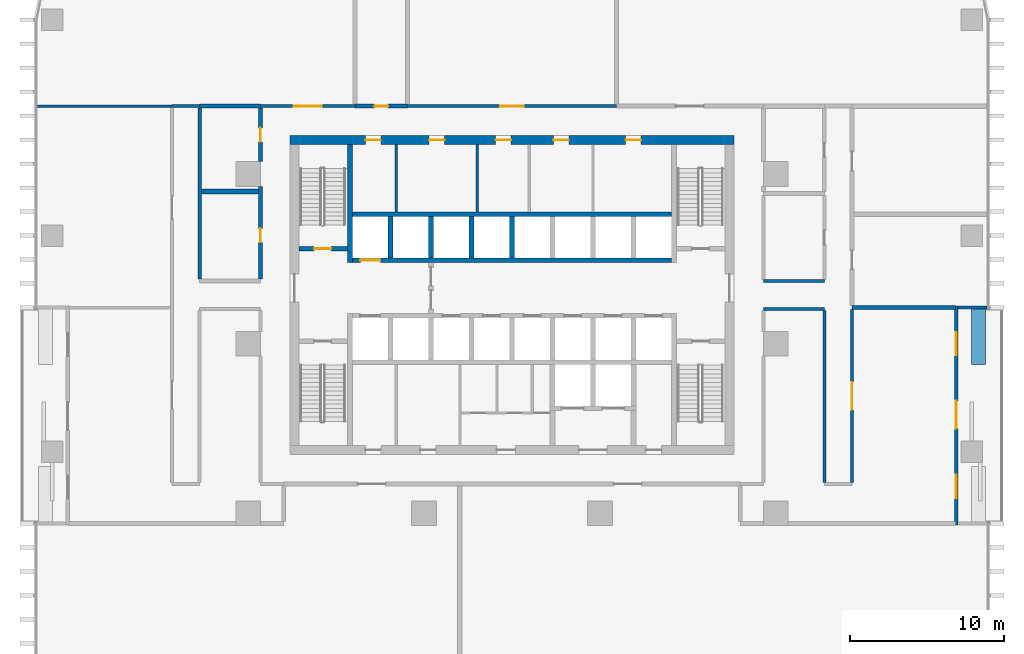
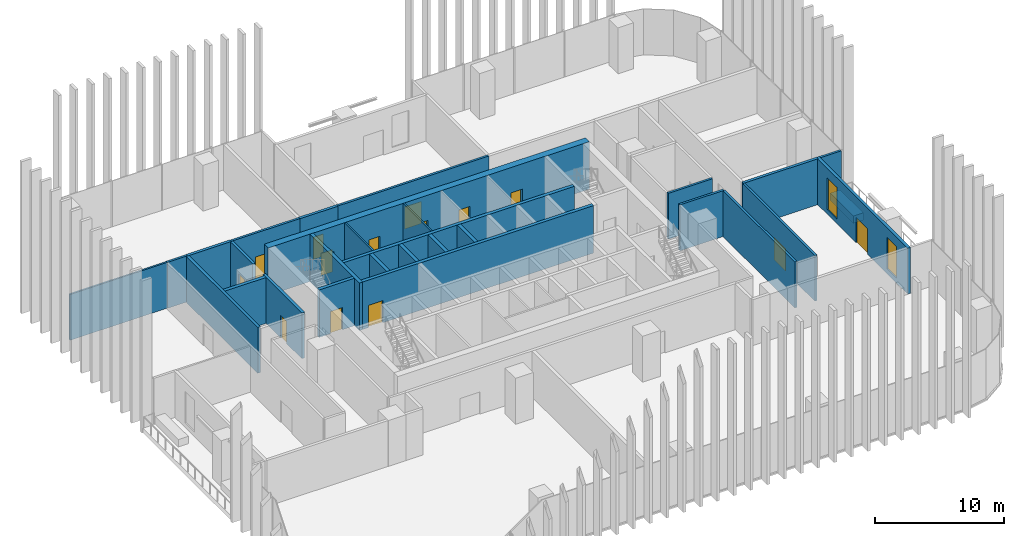
# One storey, part 9 of 17: 29 walls, 14 doors, 2 windows, 16 openings.
"""IFC4 building model written with IfcOpenShell, lengths in metres."""

import ifcopenshell
import ifcopenshell.guid

model = None  # the IFC model being written
_history = None  # IfcOwnerHistory: only IFC2X3 demands one
_inside = {}  # id of a spatial element -> (the spatial element, [elements in it])
_under = {}  # id of a project, library or spatial element -> (it, [spatial elements below it])
_declared = {}  # id of a project -> (the project, [libraries it declares])
_typed = {}  # id of a type object -> (the type object, [elements of that type])
_made_of = {}  # id of a material, layer set ... -> (it, [elements and type objects made of it])


def new_model(schema):
    """Start an empty IFC model of exactly this schema.

    Asked for "IFC4X3", IfcOpenShell would pick the latest addendum, in which some entities
    have other attributes; the version numbers below select the first issue.
    IFC2X3 requires an IfcOwnerHistory on every rooted entity: one is made here for all.
    """
    global model, _history
    if schema == "IFC4X3":
        model = ifcopenshell.file(schema_version=(4, 3, 0, 0))
    else:
        model = ifcopenshell.file(schema=schema)
    _inside.clear()
    _under.clear()
    _declared.clear()
    _typed.clear()
    _made_of.clear()
    _history = None
    if model.schema == "IFC2X3":
        org = make("IfcOrganization", Name="unknown")
        user = make(
            "IfcPersonAndOrganization",
            ThePerson=make("IfcPerson", FamilyName="unknown"),
            TheOrganization=org,
        )
        app = make(
            "IfcApplication",
            ApplicationDeveloper=org,
            Version="unknown",
            ApplicationFullName="unknown",
            ApplicationIdentifier="unknown",
        )
        _history = make(
            "IfcOwnerHistory",
            OwningUser=user,
            OwningApplication=app,
            ChangeAction="ADDED",
            CreationDate=0,
        )
    return model


def make(cls, **values):
    """One entity of the class cls with the attributes given. An attribute that is None is left unset."""
    return model.create_entity(
        cls, **{name: value for name, value in values.items() if value is not None}
    )


def rooted(cls, **values):
    """An entity with a GlobalId (a new one), such as an element, a storey or a relation."""
    return make(cls, GlobalId=ifcopenshell.guid.new(), OwnerHistory=_history, **values)


def si_unit(unit_type, name, prefix=None):
    """IfcSIUnit, for example si_unit("LENGTHUNIT", "METRE", prefix="MILLI")."""
    return make("IfcSIUnit", UnitType=unit_type, Prefix=prefix, Name=name)


def assignment(units):
    """IfcUnitAssignment: the units of a project."""
    return None if units is None else make("IfcUnitAssignment", Units=units)


def point(xyz):
    """IfcCartesianPoint."""
    return None if xyz is None else make("IfcCartesianPoint", Coordinates=xyz)


def direction(xyz):
    """IfcDirection."""
    return None if xyz is None else make("IfcDirection", DirectionRatios=xyz)


def frame(location, z_axis=None, x_axis=None):
    """IfcAxis2Placement3D, a coordinate frame: its origin and axes. An axis left out is left unset."""
    return make(
        "IfcAxis2Placement3D",
        Location=point(location),
        Axis=direction(z_axis),
        RefDirection=direction(x_axis),
    )


def frame_2d(location, x_axis=None):
    """IfcAxis2Placement2D, a coordinate frame in the plane: its origin and x axis."""
    return make(
        "IfcAxis2Placement2D", Location=point(location), RefDirection=direction(x_axis)
    )


def origin():
    """The frame at (0, 0, 0) with its axes left unset."""
    return frame((0.0, 0.0, 0.0))


def place(relative_to, where):
    """IfcLocalPlacement: puts the frame where relative to a parent placement (None: the world)."""
    return make(
        "IfcLocalPlacement", PlacementRelTo=relative_to, RelativePlacement=where
    )


def context(
    kind, dimensions, precision=None, world=None, true_north=None, identifier=None
):
    """IfcGeometricRepresentationContext, for example the 3D "Model" context."""
    return make(
        "IfcGeometricRepresentationContext",
        ContextIdentifier=identifier,
        ContextType=kind,
        CoordinateSpaceDimension=dimensions,
        Precision=precision,
        WorldCoordinateSystem=world,
        TrueNorth=true_north,
    )


def subcontext(parent, identifier, kind, view, scale=None):
    """IfcGeometricRepresentationSubContext, for example "Body" below "Model"."""
    return make(
        "IfcGeometricRepresentationSubContext",
        ContextIdentifier=identifier,
        ContextType=kind,
        ParentContext=parent,
        TargetScale=scale,
        TargetView=view,
    )


def project(units=None, contexts=None):
    """IfcProject with its units and contexts."""
    return rooted(
        "IfcProject",
        Name="project",
        RepresentationContexts=contexts,
        UnitsInContext=assignment(units),
    )


def spatial(cls, under=None, at=None, **own):
    """A site, building, storey or space (cls), placed at a placement, below another one or the project."""
    s = rooted(cls, ObjectPlacement=at, **own)
    if under is not None:
        _under.setdefault(under.id(), (under, []))[1].append(s)
    return s


def profile(cls, at=None, kind="AREA", **sizes):
    """A parametric profile (cls). Its sizes go by their IFC names, for example OverallWidth=200.0."""
    return make(cls, ProfileType=kind, Position=at, **sizes)


def rectangle(**sizes):
    """IfcRectangleProfileDef."""
    return profile("IfcRectangleProfileDef", **sizes)


def extrude(swept, where, along, depth):
    """IfcExtrudedAreaSolid: the profile swept, set in the frame where, extruded along a direction by depth."""
    return make(
        "IfcExtrudedAreaSolid",
        SweptArea=swept,
        Position=where,
        ExtrudedDirection=direction(along),
        Depth=depth,
    )


def shape(context_of_items, identifier, shape_type, items):
    """IfcShapeRepresentation: the items that make up one representation, for example the "Body"."""
    return make(
        "IfcShapeRepresentation",
        ContextOfItems=context_of_items,
        RepresentationIdentifier=identifier,
        RepresentationType=shape_type,
        Items=items,
    )


def material(Name=None, Category=None):
    """IfcMaterial."""
    return make("IfcMaterial", Name=Name, Category=Category)


def layer(
    of_material, thickness, ventilated=None, Name=None, Category=None, Priority=None
):
    """IfcMaterialLayer: one layer of a wall or slab, of a material (None: an air gap)."""
    return make(
        "IfcMaterialLayer",
        Material=of_material,
        LayerThickness=thickness,
        IsVentilated=ventilated,
        Name=Name,
        Category=Category,
        Priority=Priority,
    )


def layer_set(layers, Name=None):
    """IfcMaterialLayerSet."""
    return make("IfcMaterialLayerSet", MaterialLayers=layers, LayerSetName=Name)


def made_of(thing, what):
    """Note that an element or type object is made of a material, layer set ...; save() writes the relation."""
    if what is not None:
        _made_of.setdefault(what.id(), (what, []))[1].append(thing)
    return thing


def type_object(cls, material=None, **own):
    """A type object (cls), such as IfcWallType, which elements share."""
    return made_of(rooted(cls, **own), material)


def element(
    cls,
    number,
    at=None,
    inside=None,
    cuts=None,
    type_object=None,
    material=None,
    context=None,
    identifier="Body",
    shape_type=None,
    held_by="IfcProductDefinitionShape",
    body=None,
    shapes=None,
    **own,
):
    """One element of the class cls, such as IfcWall. Its Tag is "e" and its number.

    at: its placement. inside: the storey or other place that contains it. cuts: it is an
    opening in that element (IfcRelVoidsElement). A single representation is given by context,
    identifier, shape_type and body (its items); several are given by shapes. held_by: the class
    of the entity that holds the representations. save() writes the other relations.
    """
    e = rooted(cls, Tag="e%d" % number, ObjectPlacement=at, **own)
    if body is not None:
        shapes = [shape(context, identifier, shape_type, body)]
    if shapes is not None:
        e.Representation = make(held_by, Representations=shapes)
    if inside is not None:
        _inside.setdefault(inside.id(), (inside, []))[1].append(e)
    if cuts is not None:
        rooted(
            "IfcRelVoidsElement", RelatingBuildingElement=cuts, RelatedOpeningElement=e
        )
    if type_object is not None:
        _typed.setdefault(type_object.id(), (type_object, []))[1].append(e)
    return made_of(e, material)


def fill(opening, filler):
    """IfcRelFillsElement: the door or window that sits in an opening."""
    return rooted(
        "IfcRelFillsElement",
        RelatingOpeningElement=opening,
        RelatedBuildingElement=filler,
    )


def aggregate(whole, parts):
    """IfcRelAggregates: a whole, such as a stair, and the parts it consists of."""
    return rooted("IfcRelAggregates", RelatingObject=whole, RelatedObjects=parts)


def save(model, path):
    """Write the relations noted so far, then the file.

    IfcRelAggregates (storeys below a building ...), IfcRelContainedInSpatialStructure (elements
    in a storey), IfcRelDefinesByType, IfcRelAssociatesMaterial and IfcRelDeclares: one each for
    every whole, place, type object, material and project.
    """
    for whole, parts in _under.values():
        aggregate(whole, parts)
    for where, things in _inside.values():
        rooted(
            "IfcRelContainedInSpatialStructure",
            RelatedElements=things,
            RelatingStructure=where,
        )
    for kind, things in _typed.values():
        rooted("IfcRelDefinesByType", RelatedObjects=things, RelatingType=kind)
    for what, things in _made_of.values():
        rooted("IfcRelAssociatesMaterial", RelatedObjects=things, RelatingMaterial=what)
    for by, libraries in _declared.values():
        rooted("IfcRelDeclares", RelatingContext=by, RelatedDefinitions=libraries)
    model.write(path)


model = new_model("IFC4")

# Units and contexts
model_context = context("Model", 3, precision=1e-05, world=origin(), true_north=direction((0.0, 1.0)))
body_context = subcontext(model_context, "Body", "Model", "MODEL_VIEW")
ifc_project = project(units=[si_unit("LENGTHUNIT", "METRE"), si_unit("AREAUNIT", "SQUARE_METRE"), si_unit("VOLUMEUNIT", "CUBIC_METRE"), si_unit("PLANEANGLEUNIT", "RADIAN"), si_unit("MASSUNIT", "GRAM", prefix="KILO")], contexts=[model_context])

# Site, building, storey
site_placement = place(None, origin())
site = spatial("IfcSite", under=ifc_project, at=site_placement, CompositionType="ELEMENT")
building_placement = place(site_placement, origin())
building = spatial("IfcBuilding", under=site, at=building_placement, Name="Mopane Tessera Tower", CompositionType="ELEMENT")
storey_placement = place(building_placement, frame((0.0, 0.0, 45.39990234375)))
storey = spatial("IfcBuildingStorey", under=building, at=storey_placement, Name="L08", CompositionType="ELEMENT", Elevation=45.39990234375)

# Walls
ifc_material_1 = material(Name="Fire-rated gypsum board partition")
ifc_layer_1 = layer(ifc_material_1, 0.14990234375)
ifc_layer_set_1 = layer_set([ifc_layer_1], Name="Fire-rated gypsum board partition")
wall_type_1 = type_object("IfcWallType", Name="Core room partition 150 mm", PredefinedType="PARTITIONING", material=ifc_layer_set_1)
for number, where, z_axis, x_axis, name in (
    (1, (-7.5, 8.550048828125, 0.0), (0.0, 0.0, 1.0), (0.0, 1.0, 0.0), "L08 Room partition"),
    (2, (-2.25, 8.550048828125, 0.0), (0.0, 0.0, 1.0), (0.0, 1.0, 0.0), "L08 Room partition"),
):
    element("IfcWall", number, at=place(storey_placement, frame(where, z_axis=z_axis, x_axis=x_axis)), inside=storey, type_object=wall_type_1, Name=name, PredefinedType="PARTITIONING", context=body_context, shape_type="SweptSolid", body=[
        extrude(rectangle(XDim=4.349853515625, YDim=0.14990234375, at=frame_2d((2.1748046875, 0.0))), origin(), (0.0, 0.0, 1.0), 4.5),
    ])

# Wall, openings, doors
ifc_material_2 = material(Name="Concrete C70/85", Category="concrete")
ifc_layer_2 = layer(ifc_material_2, 0.60009765625)
ifc_layer_set_2 = layer_set([ifc_layer_2], Name="Concrete C70/85")
wall_type_2 = type_object("IfcWallType", Name="Core shear wall 600 mm", PredefinedType="SHEAR", material=ifc_layer_set_2)
wall_1_placement = place(storey_placement, frame((-14.39990234375, 13.199951171875, 0.0), z_axis=(0.0, 0.0, 1.0), x_axis=(1.0, 0.0, 0.0)))
wall_1 = element("IfcWall", 3, at=wall_1_placement, inside=storey, type_object=wall_type_2, Name="L08 Core wall north", PredefinedType="SHEAR", context=body_context, shape_type="SweptSolid", body=[
    extrude(rectangle(XDim=28.7998046875, YDim=0.60009765625, at=frame_2d((14.39990234375, 0.0))), origin(), (0.0, 0.0, 1.0), 4.5),
])
opening_1_placement = place(wall_1_placement, frame((4.89990234375, 0.0, 0.0)))
opening_1 = element("IfcOpeningElement", 4, at=opening_1_placement, cuts=wall_1, Name="Opening RD1", PredefinedType="OPENING", context=body_context, shape_type="SweptSolid", body=[
    extrude(rectangle(XDim=1.0, YDim=2.10009765625, at=frame_2d((0.5, 1.050048828125))), frame((0.0, 0.31201171875, 0.0), z_axis=(0.0, -1.0, 0.0), x_axis=(1.0, 0.0, 0.0)), (0.0, 0.0, 1.0), 0.6240234375),
])
opening_2_placement = place(wall_1_placement, frame((9.02490234375, 0.0, 0.0)))
opening_2 = element("IfcOpeningElement", 5, at=opening_2_placement, cuts=wall_1, Name="Opening RD1", PredefinedType="OPENING", context=body_context, shape_type="SweptSolid", body=[
    extrude(rectangle(XDim=1.0, YDim=2.10009765625, at=frame_2d((0.5, 1.050048828125))), frame((0.0, 0.31201171875, 0.0), z_axis=(0.0, -1.0, 0.0), x_axis=(1.0, 0.0, 0.0)), (0.0, 0.0, 1.0), 0.6240234375),
])
opening_3_placement = place(wall_1_placement, frame((13.33740234375, 0.0, 0.0)))
opening_3 = element("IfcOpeningElement", 6, at=opening_3_placement, cuts=wall_1, Name="Opening RD1", PredefinedType="OPENING", context=body_context, shape_type="SweptSolid", body=[
    extrude(rectangle(XDim=1.0, YDim=2.10009765625, at=frame_2d((0.5, 1.050048828125))), frame((0.0, 0.31201171875, 0.0), z_axis=(0.0, -1.0, 0.0), x_axis=(1.0, 0.0, 0.0)), (0.0, 0.0, 1.0), 0.6240234375),
])
opening_4_placement = place(wall_1_placement, frame((17.08740234375, 0.0, 0.0)))
opening_4 = element("IfcOpeningElement", 7, at=opening_4_placement, cuts=wall_1, Name="Opening RD1", PredefinedType="OPENING", context=body_context, shape_type="SweptSolid", body=[
    extrude(rectangle(XDim=1.0, YDim=2.10009765625, at=frame_2d((0.5, 1.050048828125))), frame((0.0, 0.31201171875, 0.0), z_axis=(0.0, -1.0, 0.0), x_axis=(1.0, 0.0, 0.0)), (0.0, 0.0, 1.0), 0.6240234375),
])
opening_5_placement = place(wall_1_placement, frame((21.77490234375, 0.0, 0.0)))
opening_5 = element("IfcOpeningElement", 8, at=opening_5_placement, cuts=wall_1, Name="Opening RD1", PredefinedType="OPENING", context=body_context, shape_type="SweptSolid", body=[
    extrude(rectangle(XDim=1.0, YDim=2.10009765625, at=frame_2d((0.5, 1.050048828125))), frame((0.0, 0.31201171875, 0.0), z_axis=(0.0, -1.0, 0.0), x_axis=(1.0, 0.0, 0.0)), (0.0, 0.0, 1.0), 0.6240234375),
])
ifc_material_3 = material(Name="Timber door", Category="wood")
door_type_1 = type_object("IfcDoorType", Name="Core room door 1000 x 2100", OperationType="SINGLE_SWING_LEFT", PredefinedType="DOOR", material=ifc_material_3)
door_1_placement = place(opening_1_placement, origin())
door_1 = element("IfcDoor", 9, at=door_1_placement, inside=storey, type_object=door_type_1, Name="L08 Room door", OperationType="SINGLE_SWING_LEFT", OverallHeight=2.10009765625, OverallWidth=1.0, PredefinedType="DOOR", context=body_context, shape_type="SweptSolid", body=[
    extrude(rectangle(XDim=1.0, YDim=2.10009765625, at=frame_2d((0.5, 1.050048828125))), frame((0.0, 0.02490234375, 0.0), z_axis=(0.0, -1.0, 0.0), x_axis=(1.0, 0.0, 0.0)), (0.0, 0.0, 1.0), 0.050048828125),
])
fill(opening_1, door_1)
door_2_placement = place(opening_2_placement, origin())
door_2 = element("IfcDoor", 10, at=door_2_placement, inside=storey, type_object=door_type_1, Name="L08 Room door", OperationType="SINGLE_SWING_LEFT", OverallHeight=2.10009765625, OverallWidth=1.0, PredefinedType="DOOR", context=body_context, shape_type="SweptSolid", body=[
    extrude(rectangle(XDim=1.0, YDim=2.10009765625, at=frame_2d((0.5, 1.050048828125))), frame((0.0, 0.02490234375, 0.0), z_axis=(0.0, -1.0, 0.0), x_axis=(1.0, 0.0, 0.0)), (0.0, 0.0, 1.0), 0.050048828125),
])
fill(opening_2, door_2)
door_3_placement = place(opening_3_placement, origin())
door_3 = element("IfcDoor", 11, at=door_3_placement, inside=storey, type_object=door_type_1, Name="L08 Room door", OperationType="SINGLE_SWING_LEFT", OverallHeight=2.10009765625, OverallWidth=1.0, PredefinedType="DOOR", context=body_context, shape_type="SweptSolid", body=[
    extrude(rectangle(XDim=1.0, YDim=2.10009765625, at=frame_2d((0.5, 1.050048828125))), frame((0.0, 0.02490234375, 0.0), z_axis=(0.0, -1.0, 0.0), x_axis=(1.0, 0.0, 0.0)), (0.0, 0.0, 1.0), 0.050048828125),
])
fill(opening_3, door_3)
door_4_placement = place(opening_4_placement, origin())
door_4 = element("IfcDoor", 12, at=door_4_placement, inside=storey, type_object=door_type_1, Name="L08 Room door", OperationType="SINGLE_SWING_LEFT", OverallHeight=2.10009765625, OverallWidth=1.0, PredefinedType="DOOR", context=body_context, shape_type="SweptSolid", body=[
    extrude(rectangle(XDim=1.0, YDim=2.10009765625, at=frame_2d((0.5, 1.050048828125))), frame((0.0, 0.02490234375, 0.0), z_axis=(0.0, -1.0, 0.0), x_axis=(1.0, 0.0, 0.0)), (0.0, 0.0, 1.0), 0.050048828125),
])
fill(opening_4, door_4)
door_5_placement = place(opening_5_placement, origin())
door_5 = element("IfcDoor", 13, at=door_5_placement, inside=storey, type_object=door_type_1, Name="L08 Room door", OperationType="SINGLE_SWING_LEFT", OverallHeight=2.10009765625, OverallWidth=1.0, PredefinedType="DOOR", context=body_context, shape_type="SweptSolid", body=[
    extrude(rectangle(XDim=1.0, YDim=2.10009765625, at=frame_2d((0.5, 1.050048828125))), frame((0.0, 0.02490234375, 0.0), z_axis=(0.0, -1.0, 0.0), x_axis=(1.0, 0.0, 0.0)), (0.0, 0.0, 1.0), 0.050048828125),
])
fill(opening_5, door_5)

# Walls
ifc_material_4 = material(Name="Concrete C60/75", Category="concrete")
ifc_layer_3 = layer(ifc_material_4, 0.300048828125)
ifc_layer_set_3 = layer_set([ifc_layer_3], Name="Concrete C60/75")
wall_type_3 = type_object("IfcWallType", Name="Core spine wall 300 mm", PredefinedType="SHEAR", material=ifc_layer_set_3)
wall_2_placement = place(storey_placement, frame((-10.5, 5.25, 0.0), z_axis=(0.0, 0.0, 1.0), x_axis=(0.0, 1.0, 0.0)))
element("IfcWall", 14, at=wall_2_placement, inside=storey, type_object=wall_type_3, Name="L08 Core spine wall", PredefinedType="SHEAR", context=body_context, shape_type="SweptSolid", body=[
    extrude(rectangle(XDim=7.64990234375, YDim=0.300048828125, at=frame_2d((3.824951171875, 0.0))), origin(), (0.0, 0.0, 1.0), 4.5),
])
ifc_material_5 = material(Name="Gypsum board on steel studs, two layers each face, mineral wool infill", Category="steel")
ifc_layer_4 = layer(ifc_material_5, 0.199951171875)
ifc_layer_set_4 = layer_set([ifc_layer_4], Name="Gypsum board on steel studs, two layers each face, mineral wool infill")
wall_type_4 = type_object("IfcWallType", Name="Gypsum board corridor wall 200, rated EI 60", PredefinedType="PARTITIONING", material=ifc_layer_set_4)
for number, where, z_axis, x_axis, name in (
    (15, (16.300048828125, 2.25, 0.0), (0.0, 0.0, 1.0), (1.0, 0.0, 0.0), "Partition L08:010"),
    (16, (16.300048828125, 4.050048828125, 0.0), (0.0, 0.0, 1.0), (1.0, 0.0, 0.0), "Partition L08:013"),
):
    element("IfcWall", number, at=place(storey_placement, frame(where, z_axis=z_axis, x_axis=x_axis)), inside=storey, type_object=wall_type_4, Name=name, PredefinedType="PARTITIONING", context=body_context, shape_type="SweptSolid", body=[
        extrude(rectangle(XDim=3.949951171875, YDim=0.199951171875, at=frame_2d((1.97509765625, 0.0))), origin(), (0.0, 0.0, 1.0), 4.35009765625),
    ])
wall_3_placement = place(storey_placement, frame((-22.050048828125, 15.39990234375, 0.0), z_axis=(0.0, 0.0, 1.0), x_axis=(1.0, 0.0, 0.0)))
element("IfcWall", 17, at=wall_3_placement, inside=storey, type_object=wall_type_4, Name="Partition L08:019", PredefinedType="PARTITIONING", context=body_context, shape_type="SweptSolid", body=[
    extrude(rectangle(XDim=1.800048828125, YDim=0.199951171875, at=frame_2d((0.89990234375, 0.0))), origin(), (0.0, 0.0, 1.0), 4.35009765625),
])

# Wall, opening, door
wall_4_placement = place(storey_placement, frame((-16.300048828125, 15.39990234375, 0.0), z_axis=(0.0, 0.0, 1.0), x_axis=(1.0, 0.0, 0.0)))
wall_4 = element("IfcWall", 18, at=wall_4_placement, inside=storey, type_object=wall_type_4, Name="Partition L08:020", PredefinedType="PARTITIONING", context=body_context, shape_type="SweptSolid", body=[
    extrude(rectangle(XDim=6.114990234375, YDim=0.199951171875, at=frame_2d((3.0576171875, 0.0))), origin(), (0.0, 0.0, 1.0), 4.35009765625),
])
opening_6_placement = place(wall_4_placement, frame((2.157470703125, 0.0, 0.0)))
opening_6 = element("IfcOpeningElement", 19, at=opening_6_placement, cuts=wall_4, Name="Opening L08-11", PredefinedType="OPENING", context=body_context, shape_type="SweptSolid", body=[
    extrude(rectangle(XDim=1.800048828125, YDim=2.10009765625, at=frame_2d((0.89990234375, 1.050048828125))), frame((0.0, 0.112060546875, 0.0), z_axis=(0.0, -1.0, 0.0), x_axis=(1.0, 0.0, 0.0)), (0.0, 0.0, 1.0), 0.223876953125),
])
ifc_material_6 = material(Name="Timber veneered steel-framed fire door", Category="steel")
door_type_2 = type_object("IfcDoorType", Name="Fire door pair FD60 1800 x 2100", OperationType="DOUBLE_DOOR_SINGLE_SWING", PredefinedType="DOOR", material=ifc_material_6)
door_6_placement = place(opening_6_placement, origin())
door_6 = element("IfcDoor", 20, at=door_6_placement, inside=storey, type_object=door_type_2, Name="Door L08-11", ObjectType="D20A", OperationType="DOUBLE_DOOR_SINGLE_SWING", OverallHeight=2.10009765625, OverallWidth=1.800048828125, PredefinedType="DOOR", context=body_context, shape_type="SweptSolid", body=[
    extrude(rectangle(XDim=1.800048828125, YDim=2.10009765625, at=frame_2d((0.89990234375, 1.050048828125))), frame((0.0, 0.02490234375, 0.0), z_axis=(0.0, -1.0, 0.0), x_axis=(1.0, 0.0, 0.0)), (0.0, 0.0, 1.0), 0.050048828125),
])
fill(opening_6, door_6)

wall_5_placement = place(storey_placement, frame((-6.764892578125, 15.39990234375, 0.0), z_axis=(0.0, 0.0, 1.0), x_axis=(1.0, 0.0, 0.0)))
wall_5 = element("IfcWall", 21, at=wall_5_placement, inside=storey, type_object=wall_type_4, Name="Partition L08:021", PredefinedType="PARTITIONING", context=body_context, shape_type="SweptSolid", body=[
    extrude(rectangle(XDim=13.52978515625, YDim=0.199951171875, at=frame_2d((6.764892578125, 0.0))), origin(), (0.0, 0.0, 1.0), 4.35009765625),
])
opening_7_placement = place(wall_5_placement, frame((6.014892578125, 0.0, 0.0)))
opening_7 = element("IfcOpeningElement", 22, at=opening_7_placement, cuts=wall_5, Name="Opening L08-14", PredefinedType="OPENING", context=body_context, shape_type="SweptSolid", body=[
    extrude(rectangle(XDim=1.5, YDim=2.10009765625, at=frame_2d((0.75, 1.050048828125))), frame((0.0, 0.112060546875, 0.0), z_axis=(0.0, -1.0, 0.0), x_axis=(1.0, 0.0, 0.0)), (0.0, 0.0, 1.0), 0.223876953125),
])
ifc_material_7 = material(Name="Timber veneered steel-framed fire door", Category="steel")
door_type_3 = type_object("IfcDoorType", Name="Fire door pair FD60 1500 x 2100", OperationType="DOUBLE_DOOR_SINGLE_SWING", PredefinedType="DOOR", material=ifc_material_7)
door_7_placement = place(opening_7_placement, origin())
door_7 = element("IfcDoor", 23, at=door_7_placement, inside=storey, type_object=door_type_3, Name="Door L08-14", ObjectType="D17A", OperationType="DOUBLE_DOOR_SINGLE_SWING", OverallHeight=2.10009765625, OverallWidth=1.5, PredefinedType="DOOR", context=body_context, shape_type="SweptSolid", body=[
    extrude(rectangle(XDim=1.5, YDim=2.10009765625, at=frame_2d((0.75, 1.050048828125))), frame((0.0, 0.02490234375, 0.0), z_axis=(0.0, -1.0, 0.0), x_axis=(1.0, 0.0, 0.0)), (0.0, 0.0, 1.0), 0.050048828125),
])
fill(opening_7, door_7)

# Wall
wall_6_placement = place(storey_placement, frame((20.25, -9.0, 0.0), z_axis=(0.0, 0.0, 1.0), x_axis=(0.0, 1.0, 0.0)))
element("IfcWall", 24, at=wall_6_placement, inside=storey, type_object=wall_type_4, Name="Partition L08:046", PredefinedType="PARTITIONING", context=body_context, shape_type="SweptSolid", body=[
    extrude(rectangle(XDim=11.14990234375, YDim=0.199951171875, at=frame_2d((5.574951171875, 0.0))), origin(), (0.0, 0.0, 1.0), 4.35009765625),
])

# Wall, opening, door
wall_7_placement = place(storey_placement, frame((22.050048828125, -9.0, 0.0), z_axis=(0.0, 0.0, 1.0), x_axis=(0.0, 1.0, 0.0)))
wall_7 = element("IfcWall", 25, at=wall_7_placement, inside=storey, type_object=wall_type_4, Name="Partition L08:049", PredefinedType="PARTITIONING", context=body_context, shape_type="SweptSolid", body=[
    extrude(rectangle(XDim=11.2099609375, YDim=0.199951171875, at=frame_2d((5.60498046875, 0.0))), origin(), (0.0, 0.0, 1.0), 4.35009765625),
])
opening_8_placement = place(wall_7_placement, frame((4.705078125, 0.0, 0.0)))
opening_8 = element("IfcOpeningElement", 26, at=opening_8_placement, cuts=wall_7, Name="Opening L08-15", PredefinedType="OPENING", context=body_context, shape_type="SweptSolid", body=[
    extrude(rectangle(XDim=1.800048828125, YDim=2.10009765625, at=frame_2d((0.89990234375, 1.050048828125))), frame((0.0, 0.112060546875, 0.0), z_axis=(0.0, -1.0, 0.0), x_axis=(1.0, 0.0, 0.0)), (0.0, 0.0, 1.0), 0.223876953125),
])
door_8_placement = place(opening_8_placement, origin())
door_8 = element("IfcDoor", 27, at=door_8_placement, inside=storey, type_object=door_type_2, Name="Door L08-15", ObjectType="D20A", OperationType="DOUBLE_DOOR_SINGLE_SWING", OverallHeight=2.10009765625, OverallWidth=1.800048828125, PredefinedType="DOOR", context=body_context, shape_type="SweptSolid", body=[
    extrude(rectangle(XDim=1.800048828125, YDim=2.10009765625, at=frame_2d((0.89990234375, 1.050048828125))), frame((0.0, 0.02490234375, 0.0), z_axis=(0.0, -1.0, 0.0), x_axis=(1.0, 0.0, 0.0)), (0.0, 0.0, 1.0), 0.050048828125),
])
fill(opening_8, door_8)

# Wall
ifc_material_8 = material(Name="Gypsum board on steel studs, mineral wool infill", Category="steel")
ifc_layer_5 = layer(ifc_material_8, 0.14990234375)
ifc_layer_set_5 = layer_set([ifc_layer_5], Name="Gypsum board on steel studs, mineral wool infill")
wall_type_5 = type_object("IfcWallType", Name="Gypsum board partition 150, rated EI 60", PredefinedType="PARTITIONING", material=ifc_layer_set_5)
wall_8_placement = place(storey_placement, frame((-30.75, 15.39990234375, 0.0), z_axis=(0.0, 0.0, 1.0), x_axis=(1.0, 0.0, 0.0)))
element("IfcWall", 28, at=wall_8_placement, inside=storey, type_object=wall_type_5, Name="Partition L08:018", PredefinedType="PARTITIONING", context=body_context, shape_type="SweptSolid", body=[
    extrude(rectangle(XDim=8.699951171875, YDim=0.14990234375, at=frame_2d((4.35009765625, 0.0))), origin(), (0.0, 0.0, 1.0), 4.35009765625),
])

# Wall, opening, door
ifc_material_9 = material(Name="Concrete C50/60", Category="concrete")
ifc_layer_6 = layer(ifc_material_9, 0.300048828125)
ifc_layer_set_6 = layer_set([ifc_layer_6], Name="Concrete C50/60")
wall_type_6 = type_object("IfcWallType", Name="Lift and stair shaft wall 300 mm", PredefinedType="SOLIDWALL", material=ifc_layer_set_6)
wall_9_placement = place(storey_placement, frame((-13.800048828125, 6.14990234375, 0.0), z_axis=(0.0, 0.0, 1.0), x_axis=(1.0, 0.0, 0.0)))
wall_9 = element("IfcWall", 29, at=wall_9_placement, inside=storey, type_object=wall_type_6, Name="L08 Stair enclosure wall", PredefinedType="SOLIDWALL", context=body_context, shape_type="SweptSolid", body=[
    extrude(rectangle(XDim=3.150146484375, YDim=0.300048828125, at=frame_2d((1.5751953125, 0.0))), origin(), (0.0, 0.0, 1.0), 4.5),
])
opening_9_placement = place(wall_9_placement, frame((0.97509765625, 0.0, 0.0)))
opening_9 = element("IfcOpeningElement", 30, at=opening_9_placement, cuts=wall_9, Name="Opening SD1", PredefinedType="OPENING", context=body_context, shape_type="SweptSolid", body=[
    extrude(rectangle(XDim=1.10009765625, YDim=2.10009765625, at=frame_2d((0.550048828125, 1.050048828125))), frame((0.0, 0.162109375, 0.0), z_axis=(0.0, -1.0, 0.0), x_axis=(1.0, 0.0, 0.0)), (0.0, 0.0, 1.0), 0.323974609375),
])
ifc_material_10 = material(Name="Steel fire door", Category="steel")
door_type_4 = type_object("IfcDoorType", Name="Stair fire door 1100 x 2100", OperationType="SINGLE_SWING_LEFT", PredefinedType="DOOR", material=ifc_material_10)
door_9_placement = place(opening_9_placement, origin())
door_9 = element("IfcDoor", 31, at=door_9_placement, inside=storey, type_object=door_type_4, Name="L08 Stair door ST2", OperationType="SINGLE_SWING_LEFT", OverallHeight=2.10009765625, OverallWidth=1.10009765625, PredefinedType="DOOR", context=body_context, shape_type="SweptSolid", body=[
    extrude(rectangle(XDim=1.10009765625, YDim=2.10009765625, at=frame_2d((0.550048828125, 1.050048828125))), frame((0.0, 0.02490234375, 0.0), z_axis=(0.0, -1.0, 0.0), x_axis=(1.0, 0.0, 0.0)), (0.0, 0.0, 1.0), 0.050048828125),
])
fill(opening_9, door_9)

wall_10_placement = place(storey_placement, frame((-10.35009765625, 5.39990234375, 0.0), z_axis=(0.0, 0.0, 1.0), x_axis=(1.0, 0.0, 0.0)))
wall_10 = element("IfcWall", 32, at=wall_10_placement, inside=storey, type_object=wall_type_6, Name="L08 Lift shaft front wall", PredefinedType="SOLIDWALL", context=body_context, shape_type="SweptSolid", body=[
    extrude(rectangle(XDim=20.7001953125, YDim=0.300048828125, at=frame_2d((10.35009765625, 0.0))), origin(), (0.0, 0.0, 1.0), 4.5),
])
opening_10_placement = place(wall_10_placement, frame((0.512451171875, 0.0, 0.0)))
opening_10 = element("IfcOpeningElement", 33, at=opening_10_placement, cuts=wall_10, Name="Opening LD2", PredefinedType="OPENING", context=body_context, shape_type="SweptSolid", body=[
    extrude(rectangle(XDim=1.300048828125, YDim=2.10009765625, at=frame_2d((0.64990234375, 1.050048828125))), frame((0.0, 0.162109375, 0.0), z_axis=(0.0, -1.0, 0.0), x_axis=(1.0, 0.0, 0.0)), (0.0, 0.0, 1.0), 0.323974609375),
])
ifc_material_11 = material(Name="Stainless steel sliding door", Category="steel")
door_type_5 = type_object("IfcDoorType", Name="Fire-fighting lift landing door 1300 x 2100", OperationType="DOUBLE_DOOR_SLIDING", PredefinedType="DOOR", material=ifc_material_11)
door_10_placement = place(opening_10_placement, origin())
door_10 = element("IfcDoor", 34, at=door_10_placement, inside=storey, type_object=door_type_5, Name="L08 Lift landing door FF2", OperationType="DOUBLE_DOOR_SLIDING", OverallHeight=2.10009765625, OverallWidth=1.300048828125, PredefinedType="DOOR", context=body_context, shape_type="SweptSolid", body=[
    extrude(rectangle(XDim=1.300048828125, YDim=2.10009765625, at=frame_2d((0.64990234375, 1.050048828125))), frame((0.0, 0.02490234375, 0.0), z_axis=(0.0, -1.0, 0.0), x_axis=(1.0, 0.0, 0.0)), (0.0, 0.0, 1.0), 0.050048828125),
])
fill(opening_10, door_10)

# Walls
wall_11_placement = place(storey_placement, frame((-10.35009765625, 8.39990234375, 0.0), z_axis=(0.0, 0.0, 1.0), x_axis=(1.0, 0.0, 0.0)))
element("IfcWall", 35, at=wall_11_placement, inside=storey, type_object=wall_type_6, Name="L08 Lift shaft rear wall", PredefinedType="SOLIDWALL", context=body_context, shape_type="SweptSolid", body=[
    extrude(rectangle(XDim=20.7001953125, YDim=0.300048828125, at=frame_2d((10.35009765625, 0.0))), origin(), (0.0, 0.0, 1.0), 4.5),
])
for number, where, z_axis, x_axis, name in (
    (36, (-7.875, 5.550048828125, 0.0), (0.0, 0.0, 1.0), (0.0, 1.0, 0.0), "L08 Lift shaft wall"),
    (37, (-5.25, 5.550048828125, 0.0), (0.0, 0.0, 1.0), (0.0, 1.0, 0.0), "L08 Lift shaft wall"),
    (38, (-2.625, 5.550048828125, 0.0), (0.0, 0.0, 1.0), (0.0, 1.0, 0.0), "L08 Lift shaft wall"),
    (39, (0.0, 5.550048828125, 0.0), (0.0, 0.0, 1.0), (0.0, 1.0, 0.0), "L08 Lift shaft wall"),
):
    element("IfcWall", number, at=place(storey_placement, frame(where, z_axis=z_axis, x_axis=x_axis)), inside=storey, type_object=wall_type_6, Name=name, PredefinedType="SOLIDWALL", context=body_context, shape_type="SweptSolid", body=[
        extrude(rectangle(XDim=2.699951171875, YDim=0.300048828125, at=frame_2d((1.35009765625, 0.0))), origin(), (0.0, 0.0, 1.0), 4.5),
    ])
ifc_material_12 = material(Name="Reinforced concrete C32/40 with waterproofing", Category="concrete")
ifc_layer_7 = layer(ifc_material_12, 0.89990234375)
ifc_layer_set_7 = layer_set([ifc_layer_7], Name="Reinforced concrete C32/40 with waterproofing")
wall_type_7 = type_object("IfcWallType", Name="Planter trough 3600 x 900", PredefinedType="STANDARD", material=ifc_layer_set_7)
wall_12_placement = place(storey_placement, frame((30.25, -1.36669921875, 0.0), z_axis=(0.0, 0.0, 1.0), x_axis=(0.0, 1.0, 0.0)))
element("IfcWall", 40, at=wall_12_placement, inside=storey, type_object=wall_type_7, Name="e:nw:L08:N1:pl1", PredefinedType="STANDARD", context=body_context, shape_type="SweptSolid", body=[
    extrude(rectangle(XDim=3.60009765625, YDim=0.89990234375, at=frame_2d((1.800048828125, 0.0))), origin(), (0.0, 0.0, 1.0), 0.7001953125),
])
ifc_material_13 = material(Name="Plastered concrete blockwork C20/25", Category="masonry")
ifc_layer_8 = layer(ifc_material_13, 0.300048828125)
ifc_layer_set_8 = layer_set([ifc_layer_8], Name="Plastered concrete blockwork C20/25")
wall_type_8 = type_object("IfcWallType", Name="Plastered blockwork separation wall 300, rated EI 120", PredefinedType="PARTITIONING", material=ifc_layer_set_8)
wall_13_placement = place(storey_placement, frame((-20.125, 9.860107421875, 0.0), z_axis=(0.0, 0.0, 1.0), x_axis=(1.0, 0.0, 0.0)))
element("IfcWall", 41, at=wall_13_placement, inside=storey, type_object=wall_type_8, Name="Partition L08:017", PredefinedType="PARTITIONING", context=body_context, shape_type="SweptSolid", body=[
    extrude(rectangle(XDim=3.699951171875, YDim=0.300048828125, at=frame_2d((1.85009765625, 0.0))), origin(), (0.0, 0.0, 1.0), 4.35009765625),
])
ifc_material_14 = material(Name="Plastered concrete blockwork C20/25", Category="masonry")
ifc_layer_9 = layer(ifc_material_14, 0.25)
ifc_layer_set_9 = layer_set([ifc_layer_9], Name="Plastered concrete blockwork C20/25")
wall_type_9 = type_object("IfcWallType", Name="Plastered blockwork wall 250, rated EI 120", PredefinedType="PARTITIONING", material=ifc_layer_set_9)
wall_14_placement = place(storey_placement, frame((22.050048828125, 2.3349609375, 0.0), z_axis=(0.0, 0.0, 1.0), x_axis=(1.0, 0.0, 0.0)))
element("IfcWall", 42, at=wall_14_placement, inside=storey, type_object=wall_type_9, Name="Partition L08:012", PredefinedType="PARTITIONING", context=body_context, shape_type="SweptSolid", body=[
    extrude(rectangle(XDim=6.699951171875, YDim=0.25, at=frame_2d((3.35009765625, 0.0))), origin(), (0.0, 0.0, 1.0), 4.35009765625),
])
wall_15_placement = place(storey_placement, frame((-20.25, 15.39990234375, 0.0), z_axis=(0.0, 0.0, 1.0), x_axis=(1.0, 0.0, 0.0)))
element("IfcWall", 43, at=wall_15_placement, inside=storey, type_object=wall_type_9, Name="Partition L08:022", PredefinedType="PARTITIONING", context=body_context, shape_type="SweptSolid", body=[
    extrude(rectangle(XDim=3.949951171875, YDim=0.25, at=frame_2d((1.97509765625, 0.0))), origin(), (0.0, 0.0, 1.0), 4.35009765625),
])

# Wall, opening, door
wall_16_placement = place(storey_placement, frame((-10.18505859375, 15.39990234375, 0.0), z_axis=(0.0, 0.0, 1.0), x_axis=(1.0, 0.0, 0.0)))
wall_16 = element("IfcWall", 44, at=wall_16_placement, inside=storey, type_object=wall_type_9, Name="Partition L08:023", PredefinedType="PARTITIONING", context=body_context, shape_type="SweptSolid", body=[
    extrude(rectangle(XDim=3.420166015625, YDim=0.25, at=frame_2d((1.7099609375, 0.0))), origin(), (0.0, 0.0, 1.0), 4.35009765625),
])
opening_11_placement = place(wall_16_placement, frame((1.260009765625, 0.0, 0.0)))
opening_11 = element("IfcOpeningElement", 45, at=opening_11_placement, cuts=wall_16, Name="Opening L08-02", PredefinedType="OPENING", context=body_context, shape_type="SweptSolid", body=[
    extrude(rectangle(XDim=0.89990234375, YDim=2.10009765625, at=frame_2d((0.449951171875, 1.050048828125))), frame((0.0, 0.136962890625, 0.0), z_axis=(0.0, -1.0, 0.0), x_axis=(1.0, 0.0, 0.0)), (0.0, 0.0, 1.0), 0.27392578125),
])
ifc_material_15 = material(Name="Timber veneered steel-framed fire door", Category="steel")
door_type_6 = type_object("IfcDoorType", Name="Fire door FD120 900 x 2100", OperationType="SINGLE_SWING_LEFT", PredefinedType="DOOR", material=ifc_material_15)
door_11_placement = place(opening_11_placement, origin())
door_11 = element("IfcDoor", 46, at=door_11_placement, inside=storey, type_object=door_type_6, Name="Door L08-02", ObjectType="D10B", OperationType="SINGLE_SWING_RIGHT", OverallHeight=2.10009765625, OverallWidth=0.89990234375, PredefinedType="DOOR", context=body_context, shape_type="SweptSolid", body=[
    extrude(rectangle(XDim=0.89990234375, YDim=2.10009765625, at=frame_2d((0.449951171875, 1.050048828125))), frame((0.0, 0.02490234375, 0.0), z_axis=(0.0, -1.0, 0.0), x_axis=(1.0, 0.0, 0.0)), (0.0, 0.0, 1.0), 0.050048828125),
])
fill(opening_11, door_11)

# Wall
wall_17_placement = place(storey_placement, frame((-20.25, 4.175048828125, 0.0), z_axis=(0.0, 0.0, 1.0), x_axis=(0.0, 1.0, 0.0)))
element("IfcWall", 47, at=wall_17_placement, inside=storey, type_object=wall_type_9, Name="Partition L08:030", PredefinedType="PARTITIONING", context=body_context, shape_type="SweptSolid", body=[
    extrude(rectangle(XDim=11.099853515625, YDim=0.25, at=frame_2d((5.5498046875, 0.0))), origin(), (0.0, 0.0, 1.0), 4.35009765625),
])

# Wall, opening, door
wall_18_placement = place(storey_placement, frame((-16.300048828125, 4.175048828125, 0.0), z_axis=(0.0, 0.0, 1.0), x_axis=(0.0, 1.0, 0.0)))
wall_18 = element("IfcWall", 48, at=wall_18_placement, inside=storey, type_object=wall_type_9, Name="Partition L08:033", PredefinedType="PARTITIONING", context=body_context, shape_type="SweptSolid", body=[
    extrude(rectangle(XDim=6.02490234375, YDim=0.25, at=frame_2d((3.012451171875, 0.0))), origin(), (0.0, 0.0, 1.0), 4.35009765625),
])
opening_12_placement = place(wall_18_placement, frame((2.392578125, 0.0, 0.0)))
opening_12 = element("IfcOpeningElement", 49, at=opening_12_placement, cuts=wall_18, Name="Opening L08-09", PredefinedType="OPENING", context=body_context, shape_type="SweptSolid", body=[
    extrude(rectangle(XDim=0.89990234375, YDim=2.10009765625, at=frame_2d((0.449951171875, 1.050048828125))), frame((0.0, 0.136962890625, 0.0), z_axis=(0.0, -1.0, 0.0), x_axis=(1.0, 0.0, 0.0)), (0.0, 0.0, 1.0), 0.27392578125),
])
door_12_placement = place(opening_12_placement, origin())
door_12 = element("IfcDoor", 50, at=door_12_placement, inside=storey, type_object=door_type_6, Name="Door L08-09", ObjectType="D10B", OperationType="SINGLE_SWING_LEFT", OverallHeight=2.10009765625, OverallWidth=0.89990234375, PredefinedType="DOOR", context=body_context, shape_type="SweptSolid", body=[
    extrude(rectangle(XDim=0.89990234375, YDim=2.10009765625, at=frame_2d((0.449951171875, 1.050048828125))), frame((0.0, 0.02490234375, 0.0), z_axis=(0.0, -1.0, 0.0), x_axis=(1.0, 0.0, 0.0)), (0.0, 0.0, 1.0), 0.050048828125),
])
fill(opening_12, door_12)

wall_19_placement = place(storey_placement, frame((-16.300048828125, 11.800048828125, 0.0), z_axis=(0.0, 0.0, 1.0), x_axis=(0.0, 1.0, 0.0)))
wall_19 = element("IfcWall", 51, at=wall_19_placement, inside=storey, type_object=wall_type_9, Name="Partition L08:034", PredefinedType="PARTITIONING", context=body_context, shape_type="SweptSolid", body=[
    extrude(rectangle(XDim=3.474853515625, YDim=0.25, at=frame_2d((1.7373046875, 0.0))), origin(), (0.0, 0.0, 1.0), 4.35009765625),
])
opening_13_placement = place(wall_19_placement, frame((1.28759765625, 0.0, 0.0)))
opening_13 = element("IfcOpeningElement", 52, at=opening_13_placement, cuts=wall_19, Name="Opening L08-01", PredefinedType="OPENING", context=body_context, shape_type="SweptSolid", body=[
    extrude(rectangle(XDim=0.89990234375, YDim=2.10009765625, at=frame_2d((0.449951171875, 1.050048828125))), frame((0.0, 0.136962890625, 0.0), z_axis=(0.0, -1.0, 0.0), x_axis=(1.0, 0.0, 0.0)), (0.0, 0.0, 1.0), 0.27392578125),
])
door_13_placement = place(opening_13_placement, origin())
door_13 = element("IfcDoor", 53, at=door_13_placement, inside=storey, type_object=door_type_6, Name="Door L08-01", ObjectType="D10B", OperationType="SINGLE_SWING_LEFT", OverallHeight=2.10009765625, OverallWidth=0.89990234375, PredefinedType="DOOR", context=body_context, shape_type="SweptSolid", body=[
    extrude(rectangle(XDim=0.89990234375, YDim=2.10009765625, at=frame_2d((0.449951171875, 1.050048828125))), frame((0.0, 0.02490234375, 0.0), z_axis=(0.0, -1.0, 0.0), x_axis=(1.0, 0.0, 0.0)), (0.0, 0.0, 1.0), 0.050048828125),
])
fill(opening_13, door_13)

# Wall
ifc_material_16 = material(Name="Blockwork with glazed tile facing", Category="masonry")
ifc_layer_10 = layer(ifc_material_16, 0.199951171875)
ifc_layer_set_10 = layer_set([ifc_layer_10], Name="Blockwork with glazed tile facing")
wall_type_10 = type_object("IfcWallType", Name="Terrace cheek wall 200", PredefinedType="STANDARD", material=ifc_layer_set_10)
wall_20_placement = place(storey_placement, frame((30.800048828125, 2.333251953125, 0.0), z_axis=(0.0, 0.0, 1.0), x_axis=(-1.0, 0.0, 0.0)))
element("IfcWall", 54, at=wall_20_placement, inside=storey, type_object=wall_type_10, Name="e:nw:L08:N1:cheekb", PredefinedType="STANDARD", context=body_context, shape_type="SweptSolid", body=[
    extrude(rectangle(XDim=1.875, YDim=0.199951171875, at=frame_2d((0.9375, 0.0))), origin(), (0.0, 0.0, 1.0), 4.35009765625),
])

# Wall, openings, windows, door
ifc_material_17 = material(Name="Blockwork with ultramarine glazed tile facing", Category="masonry")
ifc_layer_11 = layer(ifc_material_17, 0.25)
ifc_layer_set_11 = layer_set([ifc_layer_11], Name="Blockwork with ultramarine glazed tile facing")
wall_type_11 = type_object("IfcWallType", Name="Tile-clad external wall 250, ultramarine", PredefinedType="STANDARD", material=ifc_layer_set_11)
wall_21_placement = place(storey_placement, frame((28.800048828125, -11.7666015625, 0.0), z_axis=(0.0, 0.0, 1.0), x_axis=(0.0, 1.0, 0.0)))
wall_21 = element("IfcWall", 55, at=wall_21_placement, inside=storey, type_object=wall_type_11, Name="e:nw:L08:N1:back", PredefinedType="STANDARD", context=body_context, shape_type="SweptSolid", body=[
    extrude(rectangle(XDim=14.199951171875, YDim=0.25, at=frame_2d((7.10009765625, 0.0))), origin(), (0.0, 0.0, 1.0), 4.35009765625),
])
opening_14_placement = place(wall_21_placement, frame((1.75, 0.0, 0.449951171875)))
opening_14 = element("IfcOpeningElement", 56, at=opening_14_placement, cuts=wall_21, Name="Opening NW081A", PredefinedType="OPENING", context=body_context, shape_type="SweptSolid", body=[
    extrude(rectangle(XDim=1.5, YDim=3.0, at=frame_2d((0.75, 1.5))), frame((0.0, 0.136962890625, 0.0), z_axis=(0.0, -1.0, 0.0), x_axis=(1.0, 0.0, 0.0)), (0.0, 0.0, 1.0), 0.27392578125),
])
opening_15_placement = place(wall_21_placement, frame((6.25, 0.0, 0.0)))
opening_15 = element("IfcOpeningElement", 57, at=opening_15_placement, cuts=wall_21, Name="Opening ND081", PredefinedType="OPENING", context=body_context, shape_type="SweptSolid", body=[
    extrude(rectangle(XDim=1.800048828125, YDim=2.39990234375, at=frame_2d((0.89990234375, 1.199951171875))), frame((0.0, 0.136962890625, 0.0), z_axis=(0.0, -1.0, 0.0), x_axis=(1.0, 0.0, 0.0)), (0.0, 0.0, 1.0), 0.27392578125),
])
opening_16_placement = place(wall_21_placement, frame((11.0, 0.0, 0.449951171875)))
opening_16 = element("IfcOpeningElement", 58, at=opening_16_placement, cuts=wall_21, Name="Opening NW081B", PredefinedType="OPENING", context=body_context, shape_type="SweptSolid", body=[
    extrude(rectangle(XDim=1.5, YDim=3.0, at=frame_2d((0.75, 1.5))), frame((0.0, 0.136962890625, 0.0), z_axis=(0.0, -1.0, 0.0), x_axis=(1.0, 0.0, 0.0)), (0.0, 0.0, 1.0), 0.27392578125),
])
ifc_material_18 = material(Name="Clear laminated glass", Category="glass")
window_type = type_object("IfcWindowType", Name="Fixed window 1500 x 3000", PartitioningType="SINGLE_PANEL", PredefinedType="WINDOW", material=ifc_material_18)
window_1_placement = place(opening_14_placement, origin())
window_1 = element("IfcWindow", 59, at=window_1_placement, inside=storey, type_object=window_type, Name="e:nw:L08:N1:win0", OverallHeight=3.0, OverallWidth=1.5, PartitioningType="SINGLE_PANEL", PredefinedType="WINDOW", context=body_context, shape_type="SweptSolid", body=[
    extrude(rectangle(XDim=1.5, YDim=3.0, at=frame_2d((0.75, 1.5))), frame((0.0, 0.030029296875, 0.0), z_axis=(0.0, -1.0, 0.0), x_axis=(1.0, 0.0, 0.0)), (0.0, 0.0, 1.0), 0.06005859375),
])
fill(opening_14, window_1)
window_2_placement = place(opening_16_placement, origin())
window_2 = element("IfcWindow", 60, at=window_2_placement, inside=storey, type_object=window_type, Name="e:nw:L08:N1:win2", OverallHeight=3.0, OverallWidth=1.5, PartitioningType="SINGLE_PANEL", PredefinedType="WINDOW", context=body_context, shape_type="SweptSolid", body=[
    extrude(rectangle(XDim=1.5, YDim=3.0, at=frame_2d((0.75, 1.5))), frame((0.0, 0.030029296875, 0.0), z_axis=(0.0, -1.0, 0.0), x_axis=(1.0, 0.0, 0.0)), (0.0, 0.0, 1.0), 0.06005859375),
])
fill(opening_16, window_2)
ifc_material_19 = material(Name="Aluminium and clear glass", Category="aluminium")
door_type_7 = type_object("IfcDoorType", Name="Terrace double door 1800 x 2400", OperationType="DOUBLE_DOOR_SINGLE_SWING", PredefinedType="DOOR", material=ifc_material_19)
door_14_placement = place(opening_15_placement, origin())
door_14 = element("IfcDoor", 61, at=door_14_placement, inside=storey, type_object=door_type_7, Name="e:nw:L08:N1:door", ObjectType="D1", OperationType="DOUBLE_DOOR_SINGLE_SWING", OverallHeight=2.39990234375, OverallWidth=1.800048828125, PredefinedType="DOOR", context=body_context, shape_type="SweptSolid", body=[
    extrude(rectangle(XDim=1.800048828125, YDim=2.39990234375, at=frame_2d((0.89990234375, 1.199951171875))), frame((0.0, 0.02490234375, 0.0), z_axis=(0.0, -1.0, 0.0), x_axis=(1.0, 0.0, 0.0)), (0.0, 0.0, 1.0), 0.050048828125),
])
fill(opening_15, door_14)

save(model, "model.ifc")
